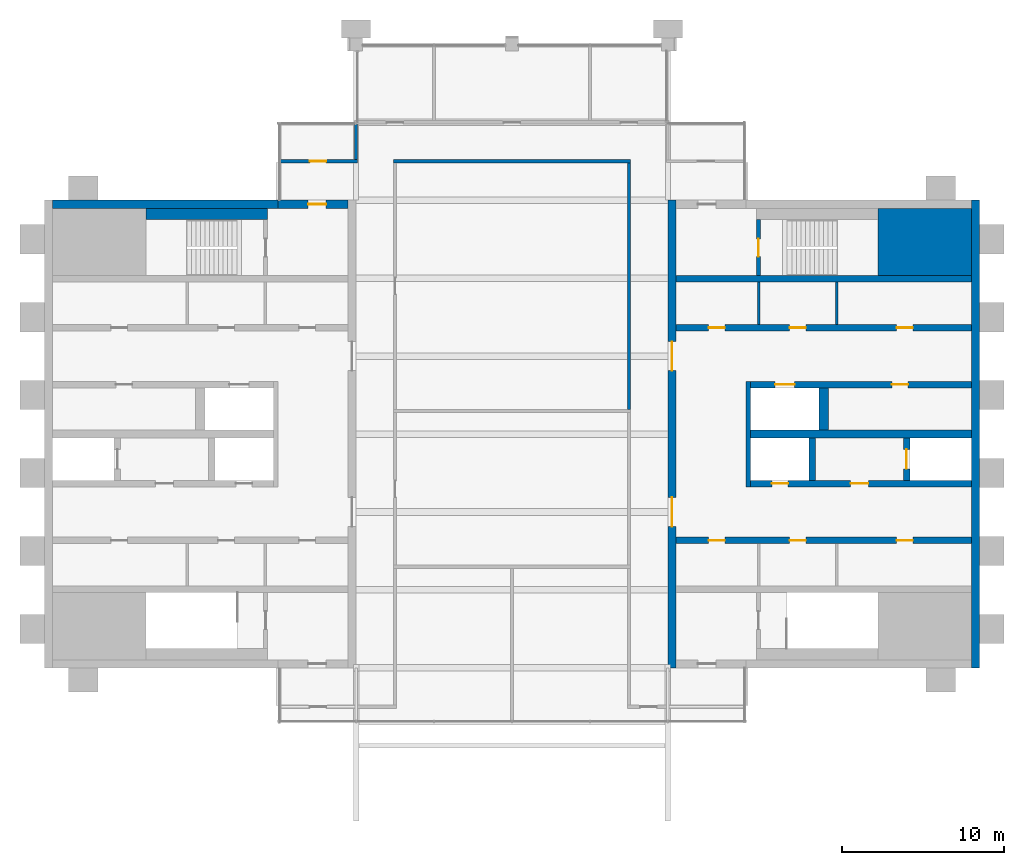
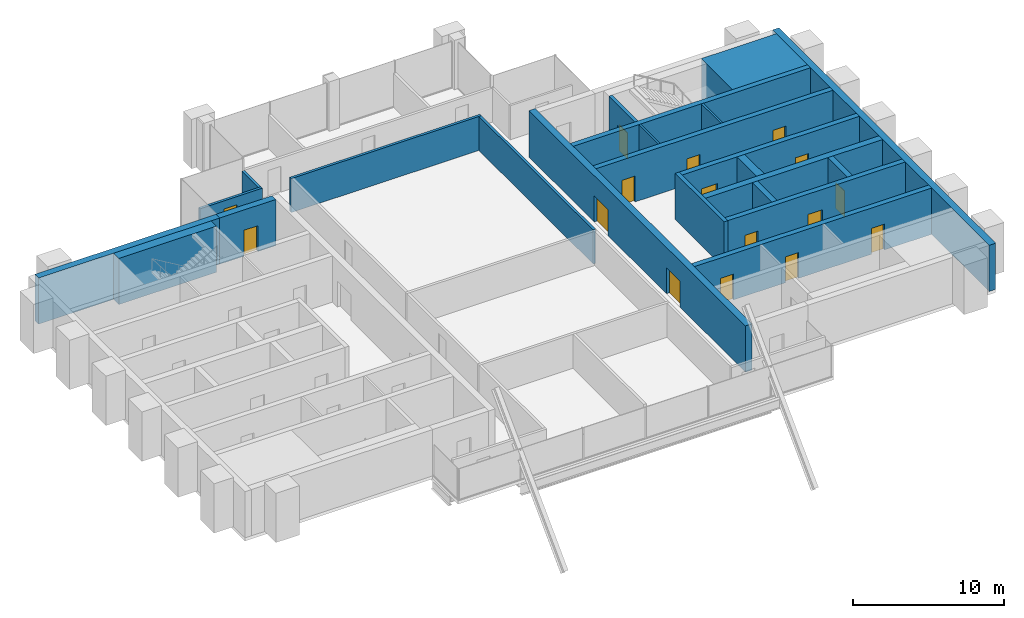
# One storey, part 9 of 11: 23 walls, 16 doors, 16 openings.
"""IFC4 building model written with IfcOpenShell, lengths in metres."""

from ifc_helpers import new_model, si_unit, direction, frame, frame_2d, origin, place, context, subcontext, project, spatial, rectangle, extrude, material, layer, layer_set, type_object, element, fill, save


model = new_model("IFC4")

# Units and contexts
model_context = context("Model", 3, precision=1e-05, world=origin(), true_north=direction((0.0, 1.0)))
body_context = subcontext(model_context, "Body", "Model", "MODEL_VIEW")
ifc_project = project(units=[si_unit("LENGTHUNIT", "METRE"), si_unit("AREAUNIT", "SQUARE_METRE"), si_unit("VOLUMEUNIT", "CUBIC_METRE"), si_unit("PLANEANGLEUNIT", "RADIAN"), si_unit("MASSUNIT", "GRAM", prefix="KILO")], contexts=[model_context])

# Site, building, storey
site_placement = place(None, origin())
site = spatial("IfcSite", under=ifc_project, at=site_placement, CompositionType="ELEMENT")
building_placement = place(site_placement, origin())
building = spatial("IfcBuilding", under=site, at=building_placement, Name="Baori Bourse Tower", CompositionType="ELEMENT")
storey_placement = place(building_placement, frame((0.0, 0.0, 366.300048828125)))
storey = spatial("IfcBuildingStorey", under=building, at=storey_placement, Name="L82", CompositionType="ELEMENT", Elevation=366.300048828125)

# Walls
ifc_material_1 = material(Name="Concrete f'c 40 MPa", Category="concrete")
wall_type_1 = type_object("IfcWallType", Name="Core corner block f'c 40", PredefinedType="SHEAR", material=ifc_material_1)
wall_1_placement = place(storey_placement, frame((51.35009765625, 35.824951171875, 0.0), z_axis=(0.0, 0.0, 1.0), x_axis=(1.0, 0.0, 0.0)))
element("IfcWall", 1, at=wall_1_placement, inside=storey, type_object=wall_type_1, Name="Core wall E23", PredefinedType="SHEAR", context=body_context, shape_type="SweptSolid", body=[
    extrude(rectangle(XDim=5.75, YDim=4.14990234375, at=frame_2d((2.875, 0.0))), origin(), (0.0, 0.0, 1.0), 3.75),
])
ifc_material_2 = material(Name="Blockwork partition", Category="masonry")
ifc_layer_1 = layer(ifc_material_2, 0.14990234375)
ifc_layer_set_1 = layer_set([ifc_layer_1], Name="Core partition 150")
wall_type_2 = type_object("IfcWallType", Name="Core partition 150", PredefinedType="PARTITIONING", material=ifc_layer_set_1)
for number, where, z_axis, x_axis, name in (
    (2, (48.800048828125, 30.75, 0.0), (0.0, 0.0, 1.0), (0.0, 1.0, 0.0), "Partition wall E20"),
    (3, (44.0, 30.75, 0.0), (0.0, 0.0, 1.0), (0.0, 1.0, 0.0), "Partition wall E21"),
):
    element("IfcWall", number, at=place(storey_placement, frame(where, z_axis=z_axis, x_axis=x_axis)), inside=storey, type_object=wall_type_2, Name=name, PredefinedType="PARTITIONING", context=body_context, shape_type="SweptSolid", body=[
        extrude(rectangle(XDim=2.60009765625, YDim=0.14990234375, at=frame_2d((1.300048828125, 0.0))), origin(), (0.0, 0.0, 1.0), 3.75),
    ])
ifc_material_3 = material(Name="Concrete f'c 40 MPa", Category="concrete")
ifc_layer_2 = layer(ifc_material_3, 0.5)
ifc_layer_set_2 = layer_set([ifc_layer_2], Name="Core wall 500 f'c 40")
wall_type_3 = type_object("IfcWallType", Name="Core wall 500 f'c 40", PredefinedType="SHEAR", material=ifc_layer_set_2)
wall_2_placement = place(storey_placement, frame((0.5, 38.14990234375, 0.0), z_axis=(0.0, 0.0, 1.0), x_axis=(1.0, 0.0, 0.0)))
element("IfcWall", 4, at=wall_2_placement, inside=storey, type_object=wall_type_3, Name="Core wall W26", PredefinedType="SHEAR", context=body_context, shape_type="SweptSolid", body=[
    extrude(rectangle(XDim=13.89990234375, YDim=0.5, at=frame_2d((6.949951171875, 0.0))), origin(), (0.0, 0.0, 1.0), 3.75),
])

# Wall, opening, door
wall_3_placement = place(storey_placement, frame((14.39990234375, 38.14990234375, 0.0), z_axis=(0.0, 0.0, 1.0), x_axis=(1.0, 0.0, 0.0)))
wall_3 = element("IfcWall", 5, at=wall_3_placement, inside=storey, type_object=wall_type_3, Name="Core wall W27", PredefinedType="SHEAR", context=body_context, shape_type="SweptSolid", body=[
    extrude(rectangle(XDim=4.300048828125, YDim=0.5, at=frame_2d((2.14990234375, 0.0))), origin(), (0.0, 0.0, 1.0), 3.75),
])
opening_1_placement = place(wall_3_placement, frame((1.85009765625, 0.0, 0.0)))
opening_1 = element("IfcOpeningElement", 6, at=opening_1_placement, cuts=wall_3, Name="Opening L82-D104", PredefinedType="OPENING", context=body_context, shape_type="SweptSolid", body=[
    extrude(rectangle(XDim=1.10009765625, YDim=2.10009765625, at=frame_2d((0.550048828125, 1.050048828125))), frame((0.0, 0.260009765625, 0.0), z_axis=(0.0, -1.0, 0.0), x_axis=(1.0, 0.0, 0.0)), (0.0, 0.0, 1.0), 0.52001953125),
])
ifc_material_4 = material(Name="Painted steel door", Category="steel")
door_type_1 = type_object("IfcDoorType", Name="Stair door 1100", OperationType="SINGLE_SWING_LEFT", PredefinedType="DOOR", material=ifc_material_4)
door_1_placement = place(opening_1_placement, origin())
door_1 = element("IfcDoor", 7, at=door_1_placement, inside=storey, type_object=door_type_1, Name="Stair vestibule door B W L82", OperationType="SINGLE_SWING_LEFT", OverallHeight=2.10009765625, OverallWidth=1.10009765625, PredefinedType="DOOR", context=body_context, shape_type="SweptSolid", body=[
    extrude(rectangle(XDim=1.10009765625, YDim=2.10009765625, at=frame_2d((0.550048828125, 1.050048828125))), frame((0.0, 0.02490234375, 0.0), z_axis=(0.0, -1.0, 0.0), x_axis=(1.0, 0.0, 0.0)), (0.0, 0.0, 1.0), 0.050048828125),
])
fill(opening_1, door_1)

# Wall
wall_4_placement = place(storey_placement, frame((57.35009765625, 38.39990234375, 0.0), z_axis=(0.0, 0.0, 1.0), x_axis=(0.0, -1.0, 0.0)))
element("IfcWall", 8, at=wall_4_placement, inside=storey, type_object=wall_type_3, Name="Core wall E01", PredefinedType="SHEAR", context=body_context, shape_type="SweptSolid", body=[
    extrude(rectangle(XDim=28.7998046875, YDim=0.5, at=frame_2d((14.39990234375, 0.0))), origin(), (0.0, 0.0, 1.0), 3.75),
])

# Wall, openings, doors
wall_5_placement = place(storey_placement, frame((38.64990234375, 9.60009765625, 0.0), z_axis=(0.0, 0.0, 1.0), x_axis=(0.0, 1.0, 0.0)))
wall_5 = element("IfcWall", 9, at=wall_5_placement, inside=storey, type_object=wall_type_3, Name="Core wall E04", PredefinedType="SHEAR", context=body_context, shape_type="SweptSolid", body=[
    extrude(rectangle(XDim=28.7998046875, YDim=0.5, at=frame_2d((14.39990234375, 0.0))), origin(), (0.0, 0.0, 1.0), 3.75),
])
opening_2_placement = place(wall_5_placement, frame((8.699951171875, 0.0, 0.0)))
opening_2 = element("IfcOpeningElement", 10, at=opening_2_placement, cuts=wall_5, Name="Opening L82-D207", PredefinedType="OPENING", context=body_context, shape_type="SweptSolid", body=[
    extrude(rectangle(XDim=1.800048828125, YDim=2.10009765625, at=frame_2d((0.89990234375, 1.050048828125))), frame((0.0, 0.260009765625, 0.0), z_axis=(0.0, -1.0, 0.0), x_axis=(1.0, 0.0, 0.0)), (0.0, 0.0, 1.0), 0.52001953125),
])
opening_3_placement = place(wall_5_placement, frame((18.300048828125, 0.0, 0.0)))
opening_3 = element("IfcOpeningElement", 11, at=opening_3_placement, cuts=wall_5, Name="Opening L82-D208", PredefinedType="OPENING", context=body_context, shape_type="SweptSolid", body=[
    extrude(rectangle(XDim=1.800048828125, YDim=2.10009765625, at=frame_2d((0.89990234375, 1.050048828125))), frame((0.0, 0.260009765625, 0.0), z_axis=(0.0, -1.0, 0.0), x_axis=(1.0, 0.0, 0.0)), (0.0, 0.0, 1.0), 0.52001953125),
])
ifc_material_5 = material(Name="Painted steel door", Category="steel")
door_type_2 = type_object("IfcDoorType", Name="Core lobby door 1800", OperationType="DOUBLE_DOOR_SINGLE_SWING", PredefinedType="DOOR", material=ifc_material_5)
door_2_placement = place(opening_2_placement, origin())
door_2 = element("IfcDoor", 12, at=door_2_placement, inside=storey, type_object=door_type_2, Name="Lobby door E L82", OperationType="DOUBLE_DOOR_SINGLE_SWING", OverallHeight=2.10009765625, OverallWidth=1.800048828125, PredefinedType="DOOR", context=body_context, shape_type="SweptSolid", body=[
    extrude(rectangle(XDim=1.800048828125, YDim=2.10009765625, at=frame_2d((0.89990234375, 1.050048828125))), frame((0.0, 0.02490234375, 0.0), z_axis=(0.0, -1.0, 0.0), x_axis=(1.0, 0.0, 0.0)), (0.0, 0.0, 1.0), 0.050048828125),
])
fill(opening_2, door_2)
door_3_placement = place(opening_3_placement, origin())
door_3 = element("IfcDoor", 13, at=door_3_placement, inside=storey, type_object=door_type_2, Name="Lobby door E L82", OperationType="DOUBLE_DOOR_SINGLE_SWING", OverallHeight=2.10009765625, OverallWidth=1.800048828125, PredefinedType="DOOR", context=body_context, shape_type="SweptSolid", body=[
    extrude(rectangle(XDim=1.800048828125, YDim=2.10009765625, at=frame_2d((0.89990234375, 1.050048828125))), frame((0.0, 0.02490234375, 0.0), z_axis=(0.0, -1.0, 0.0), x_axis=(1.0, 0.0, 0.0)), (0.0, 0.0, 1.0), 0.050048828125),
])
fill(opening_3, door_3)

# Wall, opening, door
ifc_material_6 = material(Name="Gypsum board partition")
ifc_layer_3 = layer(ifc_material_6, 0.199951171875)
ifc_layer_set_3 = layer_set([ifc_layer_3], Name="Plant room wall 200")
wall_type_4 = type_object("IfcWallType", Name="Plant room wall 200", PredefinedType="PARTITIONING", material=ifc_layer_set_3)
wall_6_placement = place(storey_placement, frame((14.5, 40.800048828125, 0.0), z_axis=(0.0, 0.0, 1.0), x_axis=(1.0, 0.0, 0.0)))
wall_6 = element("IfcWall", 14, at=wall_6_placement, inside=storey, type_object=wall_type_4, Name="Partition", PredefinedType="PARTITIONING", context=body_context, shape_type="SweptSolid", body=[
    extrude(rectangle(XDim=4.800048828125, YDim=0.199951171875, at=frame_2d((2.39990234375, 0.0))), origin(), (0.0, 0.0, 1.0), 2.75927734375),
])
opening_4_placement = place(wall_6_placement, frame((1.85009765625, 0.0, 0.0)))
opening_4 = element("IfcOpeningElement", 15, at=opening_4_placement, cuts=wall_6, Name="Opening L82-D03", PredefinedType="OPENING", context=body_context, shape_type="SweptSolid", body=[
    extrude(rectangle(XDim=1.0, YDim=2.10009765625, at=frame_2d((0.5, 1.050048828125))), frame((0.0, 0.10986328125, 0.0), z_axis=(0.0, -1.0, 0.0), x_axis=(1.0, 0.0, 0.0)), (0.0, 0.0, 1.0), 0.219970703125),
])
ifc_material_7 = material(Name="Timber door leaf", Category="wood")
door_type_3 = type_object("IfcDoorType", Name="Door 1000 x 2100", OperationType="SINGLE_SWING_LEFT", PredefinedType="DOOR", material=ifc_material_7)
door_4_placement = place(opening_4_placement, origin())
door_4 = element("IfcDoor", 16, at=door_4_placement, inside=storey, type_object=door_type_3, Name="Door", OperationType="SINGLE_SWING_RIGHT", OverallHeight=2.10009765625, OverallWidth=1.0, PredefinedType="DOOR", context=body_context, shape_type="SweptSolid", body=[
    extrude(rectangle(XDim=1.0, YDim=2.10009765625, at=frame_2d((0.5, 1.050048828125))), frame((0.0, 0.02490234375, 0.0), z_axis=(0.0, -1.0, 0.0), x_axis=(1.0, 0.0, 0.0)), (0.0, 0.0, 1.0), 0.050048828125),
])
fill(opening_4, door_4)

# Walls
wall_7_placement = place(storey_placement, frame((21.5, 40.800048828125, 0.0), z_axis=(0.0, 0.0, 1.0), x_axis=(1.0, 0.0, 0.0)))
element("IfcWall", 17, at=wall_7_placement, inside=storey, type_object=wall_type_4, Name="Partition", PredefinedType="PARTITIONING", context=body_context, shape_type="SweptSolid", body=[
    extrude(rectangle(XDim=14.60009765625, YDim=0.199951171875, at=frame_2d((7.300048828125, 0.0))), origin(), (0.0, 0.0, 1.0), 2.75927734375),
])
wall_8_placement = place(storey_placement, frame((19.199951171875, 40.89990234375, 0.0), z_axis=(0.0, 0.0, 1.0), x_axis=(0.0, 1.0, 0.0)))
element("IfcWall", 18, at=wall_8_placement, inside=storey, type_object=wall_type_4, Name="Partition", PredefinedType="PARTITIONING", context=body_context, shape_type="SweptSolid", body=[
    extrude(rectangle(XDim=2.2001953125, YDim=0.199951171875, at=frame_2d((1.10009765625, 0.0))), origin(), (0.0, 0.0, 1.0), 2.75927734375),
])
wall_9_placement = place(storey_placement, frame((36.0, 25.522216796875, 0.0), z_axis=(0.0, 0.0, 1.0), x_axis=(0.0, 1.0, 0.0)))
element("IfcWall", 19, at=wall_9_placement, inside=storey, type_object=wall_type_4, Name="Partition", PredefinedType="PARTITIONING", context=body_context, shape_type="SweptSolid", body=[
    extrude(rectangle(XDim=15.177734375, YDim=0.199951171875, at=frame_2d((7.5888671875, 0.0))), origin(), (0.0, 0.0, 1.0), 2.75927734375),
])

# Wall, opening, door
ifc_material_8 = material(Name="Concrete f'c 40 MPa", Category="concrete")
ifc_layer_4 = layer(ifc_material_8, 0.25)
ifc_layer_set_4 = layer_set([ifc_layer_4], Name="Shaft wall 250 f'c 40")
wall_type_5 = type_object("IfcWallType", Name="Shaft wall 250 f'c 40", PredefinedType="SHEAR", material=ifc_layer_set_4)
wall_10_placement = place(storey_placement, frame((43.97509765625, 33.75, 0.0), z_axis=(0.0, 0.0, 1.0), x_axis=(0.0, 1.0, 0.0)))
wall_10 = element("IfcWall", 20, at=wall_10_placement, inside=storey, type_object=wall_type_5, Name="Core wall E24", PredefinedType="SHEAR", context=body_context, shape_type="SweptSolid", body=[
    extrude(rectangle(XDim=3.449951171875, YDim=0.25, at=frame_2d((1.72509765625, 0.0))), origin(), (0.0, 0.0, 1.0), 3.75),
])
opening_5_placement = place(wall_10_placement, frame((1.175048828125, 0.0, 0.0)))
opening_5 = element("IfcOpeningElement", 21, at=opening_5_placement, cuts=wall_10, Name="Opening L82-D203", PredefinedType="OPENING", context=body_context, shape_type="SweptSolid", body=[
    extrude(rectangle(XDim=1.10009765625, YDim=2.10009765625, at=frame_2d((0.550048828125, 1.050048828125))), frame((0.0, 0.135009765625, 0.0), z_axis=(0.0, -1.0, 0.0), x_axis=(1.0, 0.0, 0.0)), (0.0, 0.0, 1.0), 0.27001953125),
])
door_5_placement = place(opening_5_placement, origin())
door_5 = element("IfcDoor", 22, at=door_5_placement, inside=storey, type_object=door_type_1, Name="Stair door B E L82", OperationType="SINGLE_SWING_LEFT", OverallHeight=2.10009765625, OverallWidth=1.10009765625, PredefinedType="DOOR", context=body_context, shape_type="SweptSolid", body=[
    extrude(rectangle(XDim=1.10009765625, YDim=2.10009765625, at=frame_2d((0.550048828125, 1.050048828125))), frame((0.0, 0.02490234375, 0.0), z_axis=(0.0, -1.0, 0.0), x_axis=(1.0, 0.0, 0.0)), (0.0, 0.0, 1.0), 0.050048828125),
])
fill(opening_5, door_5)

# Wall
ifc_material_9 = material(Name="Concrete f'c 40 MPa", Category="concrete")
ifc_layer_5 = layer(ifc_material_9, 0.300048828125)
ifc_layer_set_5 = layer_set([ifc_layer_5], Name="Shaft wall 300 f'c 40")
wall_type_6 = type_object("IfcWallType", Name="Shaft wall 300 f'c 40", PredefinedType="SHEAR", material=ifc_layer_set_5)
wall_11_placement = place(storey_placement, frame((43.35009765625, 20.75, 0.0), z_axis=(0.0, 0.0, 1.0), x_axis=(0.0, 1.0, 0.0)))
element("IfcWall", 23, at=wall_11_placement, inside=storey, type_object=wall_type_6, Name="Core wall E13", PredefinedType="SHEAR", context=body_context, shape_type="SweptSolid", body=[
    extrude(rectangle(XDim=6.5, YDim=0.300048828125, at=frame_2d((3.25, 0.0))), origin(), (0.0, 0.0, 1.0), 3.75),
])

# Wall, openings, doors
ifc_material_10 = material(Name="Concrete f'c 40 MPa", Category="concrete")
ifc_layer_6 = layer(ifc_material_10, 0.39990234375)
ifc_layer_set_6 = layer_set([ifc_layer_6], Name="Shaft wall 400 f'c 40")
wall_type_7 = type_object("IfcWallType", Name="Shaft wall 400 f'c 40", PredefinedType="SHEAR", material=ifc_layer_set_6)
wall_12_placement = place(storey_placement, frame((38.89990234375, 17.449951171875, 0.0), z_axis=(0.0, 0.0, 1.0), x_axis=(1.0, 0.0, 0.0)))
wall_12 = element("IfcWall", 24, at=wall_12_placement, inside=storey, type_object=wall_type_7, Name="Core wall E11", PredefinedType="SHEAR", context=body_context, shape_type="SweptSolid", body=[
    extrude(rectangle(XDim=18.2001953125, YDim=0.39990234375, at=frame_2d((9.10009765625, 0.0))), origin(), (0.0, 0.0, 1.0), 3.75),
])
opening_6_placement = place(wall_12_placement, frame((13.58740234375, 0.0, 0.0)))
opening_6 = element("IfcOpeningElement", 25, at=opening_6_placement, cuts=wall_12, Name="Opening L82-D212", PredefinedType="OPENING", context=body_context, shape_type="SweptSolid", body=[
    extrude(rectangle(XDim=1.0, YDim=2.10009765625, at=frame_2d((0.5, 1.050048828125))), frame((0.0, 0.2099609375, 0.0), z_axis=(0.0, -1.0, 0.0), x_axis=(1.0, 0.0, 0.0)), (0.0, 0.0, 1.0), 0.419921875),
])
opening_7_placement = place(wall_12_placement, frame((7.0, 0.0, 0.0)))
opening_7 = element("IfcOpeningElement", 26, at=opening_7_placement, cuts=wall_12, Name="Opening L82-D213", PredefinedType="OPENING", context=body_context, shape_type="SweptSolid", body=[
    extrude(rectangle(XDim=1.0, YDim=2.10009765625, at=frame_2d((0.5, 1.050048828125))), frame((0.0, 0.2099609375, 0.0), z_axis=(0.0, -1.0, 0.0), x_axis=(1.0, 0.0, 0.0)), (0.0, 0.0, 1.0), 0.419921875),
])
opening_8_placement = place(wall_12_placement, frame((2.012451171875, 0.0, 0.0)))
opening_8 = element("IfcOpeningElement", 27, at=opening_8_placement, cuts=wall_12, Name="Opening L82-D214", PredefinedType="OPENING", context=body_context, shape_type="SweptSolid", body=[
    extrude(rectangle(XDim=1.0, YDim=2.10009765625, at=frame_2d((0.5, 1.050048828125))), frame((0.0, 0.2099609375, 0.0), z_axis=(0.0, -1.0, 0.0), x_axis=(1.0, 0.0, 0.0)), (0.0, 0.0, 1.0), 0.419921875),
])
ifc_material_11 = material(Name="Painted steel door", Category="steel")
door_type_4 = type_object("IfcDoorType", Name="Plant room door 1000", OperationType="SINGLE_SWING_LEFT", PredefinedType="DOOR", material=ifc_material_11)
door_6_placement = place(opening_6_placement, origin())
door_6 = element("IfcDoor", 28, at=door_6_placement, inside=storey, type_object=door_type_4, Name="Air Handling Fan Room door E L82", OperationType="SINGLE_SWING_LEFT", OverallHeight=2.10009765625, OverallWidth=1.0, PredefinedType="DOOR", context=body_context, shape_type="SweptSolid", body=[
    extrude(rectangle(XDim=1.0, YDim=2.10009765625, at=frame_2d((0.5, 1.050048828125))), frame((0.0, 0.02490234375, 0.0), z_axis=(0.0, -1.0, 0.0), x_axis=(1.0, 0.0, 0.0)), (0.0, 0.0, 1.0), 0.050048828125),
])
fill(opening_6, door_6)
door_7_placement = place(opening_7_placement, origin())
door_7 = element("IfcDoor", 29, at=door_7_placement, inside=storey, type_object=door_type_4, Name="Electrical Room door E L82", OperationType="SINGLE_SWING_LEFT", OverallHeight=2.10009765625, OverallWidth=1.0, PredefinedType="DOOR", context=body_context, shape_type="SweptSolid", body=[
    extrude(rectangle(XDim=1.0, YDim=2.10009765625, at=frame_2d((0.5, 1.050048828125))), frame((0.0, 0.02490234375, 0.0), z_axis=(0.0, -1.0, 0.0), x_axis=(1.0, 0.0, 0.0)), (0.0, 0.0, 1.0), 0.050048828125),
])
fill(opening_7, door_7)
door_8_placement = place(opening_8_placement, origin())
door_8 = element("IfcDoor", 30, at=door_8_placement, inside=storey, type_object=door_type_4, Name="Mechanical Room door E L82", OperationType="SINGLE_SWING_LEFT", OverallHeight=2.10009765625, OverallWidth=1.0, PredefinedType="DOOR", context=body_context, shape_type="SweptSolid", body=[
    extrude(rectangle(XDim=1.0, YDim=2.10009765625, at=frame_2d((0.5, 1.050048828125))), frame((0.0, 0.02490234375, 0.0), z_axis=(0.0, -1.0, 0.0), x_axis=(1.0, 0.0, 0.0)), (0.0, 0.0, 1.0), 0.050048828125),
])
fill(opening_8, door_8)

wall_13_placement = place(storey_placement, frame((43.5, 20.949951171875, 0.0), z_axis=(0.0, 0.0, 1.0), x_axis=(1.0, 0.0, 0.0)))
wall_13 = element("IfcWall", 31, at=wall_13_placement, inside=storey, type_object=wall_type_7, Name="Core wall E12", PredefinedType="SHEAR", context=body_context, shape_type="SweptSolid", body=[
    extrude(rectangle(XDim=13.60009765625, YDim=0.39990234375, at=frame_2d((6.800048828125, 0.0))), origin(), (0.0, 0.0, 1.0), 3.75),
])
opening_9_placement = place(wall_13_placement, frame((6.14990234375, 0.0, 0.0)))
opening_9 = element("IfcOpeningElement", 32, at=opening_9_placement, cuts=wall_13, Name="Opening L82-D205", PredefinedType="OPENING", context=body_context, shape_type="SweptSolid", body=[
    extrude(rectangle(XDim=1.10009765625, YDim=2.10009765625, at=frame_2d((0.550048828125, 1.050048828125))), frame((0.0, 0.2099609375, 0.0), z_axis=(0.0, -1.0, 0.0), x_axis=(1.0, 0.0, 0.0)), (0.0, 0.0, 1.0), 0.419921875),
])
opening_10_placement = place(wall_13_placement, frame((1.300048828125, 0.0, 0.0)))
opening_10 = element("IfcOpeningElement", 33, at=opening_10_placement, cuts=wall_13, Name="Opening L82-D206", PredefinedType="OPENING", context=body_context, shape_type="SweptSolid", body=[
    extrude(rectangle(XDim=1.0, YDim=2.10009765625, at=frame_2d((0.5, 1.050048828125))), frame((0.0, 0.2099609375, 0.0), z_axis=(0.0, -1.0, 0.0), x_axis=(1.0, 0.0, 0.0)), (0.0, 0.0, 1.0), 0.419921875),
])
ifc_material_12 = material(Name="Painted steel door", Category="steel")
door_type_5 = type_object("IfcDoorType", Name="Lobby door 1100", OperationType="SINGLE_SWING_LEFT", PredefinedType="DOOR", material=ifc_material_12)
door_9_placement = place(opening_9_placement, origin())
door_9 = element("IfcDoor", 34, at=door_9_placement, inside=storey, type_object=door_type_5, Name="Firefighting lobby door E L82", OperationType="SINGLE_SWING_LEFT", OverallHeight=2.10009765625, OverallWidth=1.10009765625, PredefinedType="DOOR", context=body_context, shape_type="SweptSolid", body=[
    extrude(rectangle(XDim=1.10009765625, YDim=2.10009765625, at=frame_2d((0.550048828125, 1.050048828125))), frame((0.0, 0.02490234375, 0.0), z_axis=(0.0, -1.0, 0.0), x_axis=(1.0, 0.0, 0.0)), (0.0, 0.0, 1.0), 0.050048828125),
])
fill(opening_9, door_9)
ifc_material_13 = material(Name="Painted steel door", Category="steel")
door_type_6 = type_object("IfcDoorType", Name="Shaft door 1000", OperationType="SINGLE_SWING_LEFT", PredefinedType="DOOR", material=ifc_material_13)
door_10_placement = place(opening_10_placement, origin())
door_10 = element("IfcDoor", 35, at=door_10_placement, inside=storey, type_object=door_type_6, Name="Riser room door E L82", OperationType="SINGLE_SWING_LEFT", OverallHeight=2.10009765625, OverallWidth=1.0, PredefinedType="DOOR", context=body_context, shape_type="SweptSolid", body=[
    extrude(rectangle(XDim=1.0, YDim=2.10009765625, at=frame_2d((0.5, 1.050048828125))), frame((0.0, 0.02490234375, 0.0), z_axis=(0.0, -1.0, 0.0), x_axis=(1.0, 0.0, 0.0)), (0.0, 0.0, 1.0), 0.050048828125),
])
fill(opening_10, door_10)

# Wall, opening, door
wall_14_placement = place(storey_placement, frame((53.10009765625, 21.14990234375, 0.0), z_axis=(0.0, 0.0, 1.0), x_axis=(0.0, 1.0, 0.0)))
wall_14 = element("IfcWall", 36, at=wall_14_placement, inside=storey, type_object=wall_type_7, Name="Core wall E14", PredefinedType="SHEAR", context=body_context, shape_type="SweptSolid", body=[
    extrude(rectangle(XDim=2.60009765625, YDim=0.39990234375, at=frame_2d((1.300048828125, 0.0))), origin(), (0.0, 0.0, 1.0), 3.75),
])
opening_11_placement = place(wall_14_placement, frame((0.699951171875, 0.0, 0.0)))
opening_11 = element("IfcOpeningElement", 37, at=opening_11_placement, cuts=wall_14, Name="Opening L82-D217", PredefinedType="OPENING", context=body_context, shape_type="SweptSolid", body=[
    extrude(rectangle(XDim=1.199951171875, YDim=2.10009765625, at=frame_2d((0.60009765625, 1.050048828125))), frame((0.0, 0.2099609375, 0.0), z_axis=(0.0, -1.0, 0.0), x_axis=(1.0, 0.0, 0.0)), (0.0, 0.0, 1.0), 0.419921875),
])
ifc_material_14 = material(Name="Stainless steel door", Category="steel")
door_type_7 = type_object("IfcDoorType", Name="Lift landing door", OperationType="DOUBLE_DOOR_SLIDING", PredefinedType="DOOR", material=ifc_material_14)
door_11_placement = place(opening_11_placement, origin())
door_11 = element("IfcDoor", 38, at=door_11_placement, inside=storey, type_object=door_type_7, Name="Lift landing door FF2 E L82", OperationType="DOUBLE_DOOR_SLIDING", OverallHeight=2.10009765625, OverallWidth=1.199951171875, PredefinedType="DOOR", context=body_context, shape_type="SweptSolid", body=[
    extrude(rectangle(XDim=1.199951171875, YDim=2.10009765625, at=frame_2d((0.60009765625, 1.050048828125))), frame((0.0, 0.02490234375, 0.0), z_axis=(0.0, -1.0, 0.0), x_axis=(1.0, 0.0, 0.0)), (0.0, 0.0, 1.0), 0.050048828125),
])
fill(opening_11, door_11)

# Wall
wall_15_placement = place(storey_placement, frame((47.300048828125, 21.14990234375, 0.0), z_axis=(0.0, 0.0, 1.0), x_axis=(0.0, 1.0, 0.0)))
element("IfcWall", 39, at=wall_15_placement, inside=storey, type_object=wall_type_7, Name="Core wall E15", PredefinedType="SHEAR", context=body_context, shape_type="SweptSolid", body=[
    extrude(rectangle(XDim=2.60009765625, YDim=0.39990234375, at=frame_2d((1.300048828125, 0.0))), origin(), (0.0, 0.0, 1.0), 3.75),
])

# Wall, openings, doors
wall_16_placement = place(storey_placement, frame((43.5, 27.050048828125, 0.0), z_axis=(0.0, 0.0, 1.0), x_axis=(1.0, 0.0, 0.0)))
wall_16 = element("IfcWall", 40, at=wall_16_placement, inside=storey, type_object=wall_type_7, Name="Core wall E18", PredefinedType="SHEAR", context=body_context, shape_type="SweptSolid", body=[
    extrude(rectangle(XDim=13.60009765625, YDim=0.39990234375, at=frame_2d((6.800048828125, 0.0))), origin(), (0.0, 0.0, 1.0), 3.75),
])
opening_12_placement = place(wall_16_placement, frame((8.699951171875, 0.0, 0.0)))
opening_12 = element("IfcOpeningElement", 41, at=opening_12_placement, cuts=wall_16, Name="Opening L82-D215", PredefinedType="OPENING", context=body_context, shape_type="SweptSolid", body=[
    extrude(rectangle(XDim=1.0, YDim=2.10009765625, at=frame_2d((0.5, 1.050048828125))), frame((0.0, 0.2099609375, 0.0), z_axis=(0.0, -1.0, 0.0), x_axis=(1.0, 0.0, 0.0)), (0.0, 0.0, 1.0), 0.419921875),
])
opening_13_placement = place(wall_16_placement, frame((1.5, 0.0, 0.0)))
opening_13 = element("IfcOpeningElement", 42, at=opening_13_placement, cuts=wall_16, Name="Opening L82-D216", PredefinedType="OPENING", context=body_context, shape_type="SweptSolid", body=[
    extrude(rectangle(XDim=1.199951171875, YDim=2.10009765625, at=frame_2d((0.60009765625, 1.050048828125))), frame((0.0, 0.2099609375, 0.0), z_axis=(0.0, -1.0, 0.0), x_axis=(1.0, 0.0, 0.0)), (0.0, 0.0, 1.0), 0.419921875),
])
door_12_placement = place(opening_13_placement, origin())
door_12 = element("IfcDoor", 43, at=door_12_placement, inside=storey, type_object=door_type_7, Name="Lift landing door SV1 E L82", OperationType="DOUBLE_DOOR_SLIDING", OverallHeight=2.10009765625, OverallWidth=1.199951171875, PredefinedType="DOOR", context=body_context, shape_type="SweptSolid", body=[
    extrude(rectangle(XDim=1.199951171875, YDim=2.10009765625, at=frame_2d((0.60009765625, 1.050048828125))), frame((0.0, 0.02490234375, 0.0), z_axis=(0.0, -1.0, 0.0), x_axis=(1.0, 0.0, 0.0)), (0.0, 0.0, 1.0), 0.050048828125),
])
fill(opening_13, door_12)
door_13_placement = place(opening_12_placement, origin())
door_13 = element("IfcDoor", 44, at=door_13_placement, inside=storey, type_object=door_type_4, Name="Plant Room door E L82", OperationType="SINGLE_SWING_LEFT", OverallHeight=2.10009765625, OverallWidth=1.0, PredefinedType="DOOR", context=body_context, shape_type="SweptSolid", body=[
    extrude(rectangle(XDim=1.0, YDim=2.10009765625, at=frame_2d((0.5, 1.050048828125))), frame((0.0, 0.02490234375, 0.0), z_axis=(0.0, -1.0, 0.0), x_axis=(1.0, 0.0, 0.0)), (0.0, 0.0, 1.0), 0.050048828125),
])
fill(opening_12, door_13)

wall_17_placement = place(storey_placement, frame((38.89990234375, 30.550048828125, 0.0), z_axis=(0.0, 0.0, 1.0), x_axis=(1.0, 0.0, 0.0)))
wall_17 = element("IfcWall", 45, at=wall_17_placement, inside=storey, type_object=wall_type_7, Name="Core wall E19", PredefinedType="SHEAR", context=body_context, shape_type="SweptSolid", body=[
    extrude(rectangle(XDim=18.2001953125, YDim=0.39990234375, at=frame_2d((9.10009765625, 0.0))), origin(), (0.0, 0.0, 1.0), 3.75),
])
opening_14_placement = place(wall_17_placement, frame((13.58740234375, 0.0, 0.0)))
opening_14 = element("IfcOpeningElement", 46, at=opening_14_placement, cuts=wall_17, Name="Opening L82-D209", PredefinedType="OPENING", context=body_context, shape_type="SweptSolid", body=[
    extrude(rectangle(XDim=1.0, YDim=2.10009765625, at=frame_2d((0.5, 1.050048828125))), frame((0.0, 0.2099609375, 0.0), z_axis=(0.0, -1.0, 0.0), x_axis=(1.0, 0.0, 0.0)), (0.0, 0.0, 1.0), 0.419921875),
])
opening_15_placement = place(wall_17_placement, frame((7.0, 0.0, 0.0)))
opening_15 = element("IfcOpeningElement", 47, at=opening_15_placement, cuts=wall_17, Name="Opening L82-D210", PredefinedType="OPENING", context=body_context, shape_type="SweptSolid", body=[
    extrude(rectangle(XDim=1.0, YDim=2.10009765625, at=frame_2d((0.5, 1.050048828125))), frame((0.0, 0.2099609375, 0.0), z_axis=(0.0, -1.0, 0.0), x_axis=(1.0, 0.0, 0.0)), (0.0, 0.0, 1.0), 0.419921875),
])
opening_16_placement = place(wall_17_placement, frame((2.012451171875, 0.0, 0.0)))
opening_16 = element("IfcOpeningElement", 48, at=opening_16_placement, cuts=wall_17, Name="Opening L82-D211", PredefinedType="OPENING", context=body_context, shape_type="SweptSolid", body=[
    extrude(rectangle(XDim=1.0, YDim=2.10009765625, at=frame_2d((0.5, 1.050048828125))), frame((0.0, 0.2099609375, 0.0), z_axis=(0.0, -1.0, 0.0), x_axis=(1.0, 0.0, 0.0)), (0.0, 0.0, 1.0), 0.419921875),
])
door_14_placement = place(opening_14_placement, origin())
door_14 = element("IfcDoor", 49, at=door_14_placement, inside=storey, type_object=door_type_4, Name="Air Handling Fan Room door E L82", OperationType="SINGLE_SWING_LEFT", OverallHeight=2.10009765625, OverallWidth=1.0, PredefinedType="DOOR", context=body_context, shape_type="SweptSolid", body=[
    extrude(rectangle(XDim=1.0, YDim=2.10009765625, at=frame_2d((0.5, 1.050048828125))), frame((0.0, 0.02490234375, 0.0), z_axis=(0.0, -1.0, 0.0), x_axis=(1.0, 0.0, 0.0)), (0.0, 0.0, 1.0), 0.050048828125),
])
fill(opening_14, door_14)
door_15_placement = place(opening_15_placement, origin())
door_15 = element("IfcDoor", 50, at=door_15_placement, inside=storey, type_object=door_type_4, Name="Electrical Room door E L82", OperationType="SINGLE_SWING_LEFT", OverallHeight=2.10009765625, OverallWidth=1.0, PredefinedType="DOOR", context=body_context, shape_type="SweptSolid", body=[
    extrude(rectangle(XDim=1.0, YDim=2.10009765625, at=frame_2d((0.5, 1.050048828125))), frame((0.0, 0.02490234375, 0.0), z_axis=(0.0, -1.0, 0.0), x_axis=(1.0, 0.0, 0.0)), (0.0, 0.0, 1.0), 0.050048828125),
])
fill(opening_15, door_15)
door_16_placement = place(opening_16_placement, origin())
door_16 = element("IfcDoor", 51, at=door_16_placement, inside=storey, type_object=door_type_4, Name="Mechanical Room door E L82", OperationType="SINGLE_SWING_LEFT", OverallHeight=2.10009765625, OverallWidth=1.0, PredefinedType="DOOR", context=body_context, shape_type="SweptSolid", body=[
    extrude(rectangle(XDim=1.0, YDim=2.10009765625, at=frame_2d((0.5, 1.050048828125))), frame((0.0, 0.02490234375, 0.0), z_axis=(0.0, -1.0, 0.0), x_axis=(1.0, 0.0, 0.0)), (0.0, 0.0, 1.0), 0.050048828125),
])
fill(opening_16, door_16)

# Walls
wall_18_placement = place(storey_placement, frame((38.89990234375, 33.550048828125, 0.0), z_axis=(0.0, 0.0, 1.0), x_axis=(1.0, 0.0, 0.0)))
element("IfcWall", 52, at=wall_18_placement, inside=storey, type_object=wall_type_7, Name="Core wall E22", PredefinedType="SHEAR", context=body_context, shape_type="SweptSolid", body=[
    extrude(rectangle(XDim=18.2001953125, YDim=0.39990234375, at=frame_2d((9.10009765625, 0.0))), origin(), (0.0, 0.0, 1.0), 3.75),
])
ifc_material_15 = material(Name="Concrete f'c 40 MPa", Category="concrete")
ifc_layer_7 = layer(ifc_material_15, 0.5)
ifc_layer_set_7 = layer_set([ifc_layer_7], Name="Shaft wall 500 f'c 40")
wall_type_8 = type_object("IfcWallType", Name="Shaft wall 500 f'c 40", PredefinedType="SHEAR", material=ifc_layer_set_7)
wall_19_placement = place(storey_placement, frame((43.5, 24.0, 0.0), z_axis=(0.0, 0.0, 1.0), x_axis=(1.0, 0.0, 0.0)))
element("IfcWall", 53, at=wall_19_placement, inside=storey, type_object=wall_type_8, Name="Core wall E16", PredefinedType="SHEAR", context=body_context, shape_type="SweptSolid", body=[
    extrude(rectangle(XDim=13.60009765625, YDim=0.5, at=frame_2d((6.800048828125, 0.0))), origin(), (0.0, 0.0, 1.0), 3.75),
])
ifc_material_16 = material(Name="Concrete f'c 40 MPa", Category="concrete")
ifc_layer_8 = layer(ifc_material_16, 0.60009765625)
ifc_layer_set_8 = layer_set([ifc_layer_8], Name="Shaft wall 600 f'c 40")
wall_type_9 = type_object("IfcWallType", Name="Shaft wall 600 f'c 40", PredefinedType="SHEAR", material=ifc_layer_set_8)
wall_20_placement = place(storey_placement, frame((48.0, 24.25, 0.0), z_axis=(0.0, 0.0, 1.0), x_axis=(0.0, 1.0, 0.0)))
element("IfcWall", 54, at=wall_20_placement, inside=storey, type_object=wall_type_9, Name="Core wall E17", PredefinedType="SHEAR", context=body_context, shape_type="SweptSolid", body=[
    extrude(rectangle(XDim=2.60009765625, YDim=0.60009765625, at=frame_2d((1.300048828125, 0.0))), origin(), (0.0, 0.0, 1.0), 3.75),
])
ifc_material_17 = material(Name="Concrete f'c 40 MPa", Category="concrete")
ifc_layer_9 = layer(ifc_material_17, 0.699951171875)
ifc_layer_set_9 = layer_set([ifc_layer_9], Name="Shaft wall 700 f'c 40")
wall_type_10 = type_object("IfcWallType", Name="Shaft wall 700 f'c 40", PredefinedType="SHEAR", material=ifc_layer_set_9)
wall_21_placement = place(storey_placement, frame((6.25, 37.550048828125, 0.0), z_axis=(0.0, 0.0, 1.0), x_axis=(1.0, 0.0, 0.0)))
element("IfcWall", 55, at=wall_21_placement, inside=storey, type_object=wall_type_10, Name="Core wall W25", PredefinedType="SHEAR", context=body_context, shape_type="SweptSolid", body=[
    extrude(rectangle(XDim=7.5, YDim=0.699951171875, at=frame_2d((3.75, 0.0))), origin(), (0.0, 0.0, 1.0), 3.75),
])

save(model, "model.ifc")
